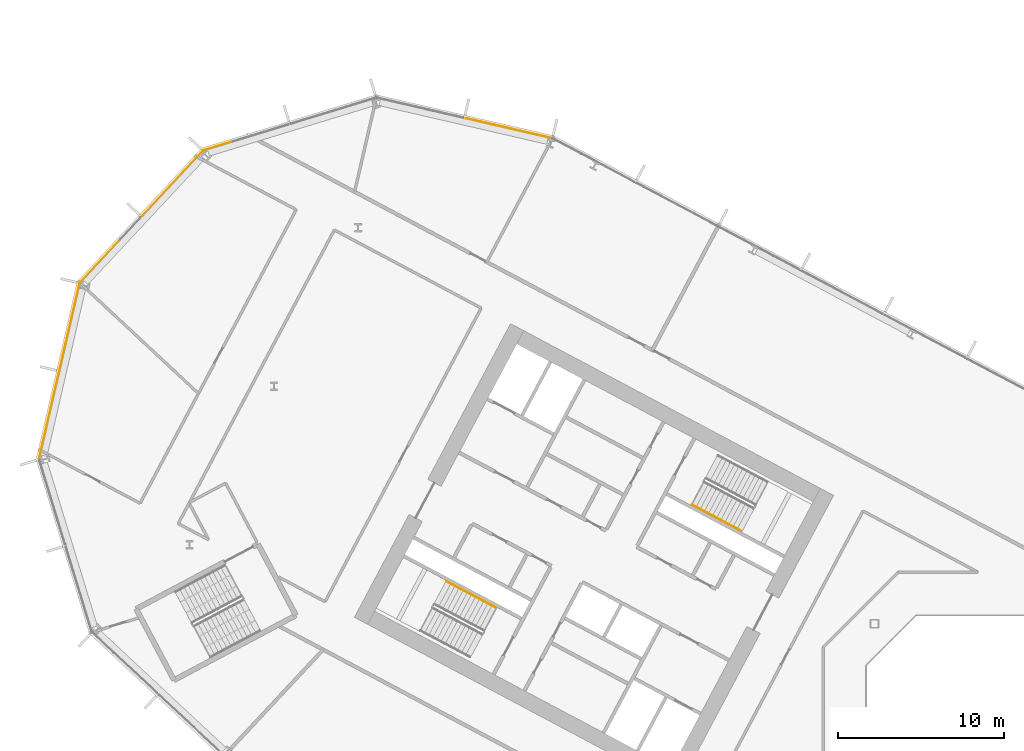
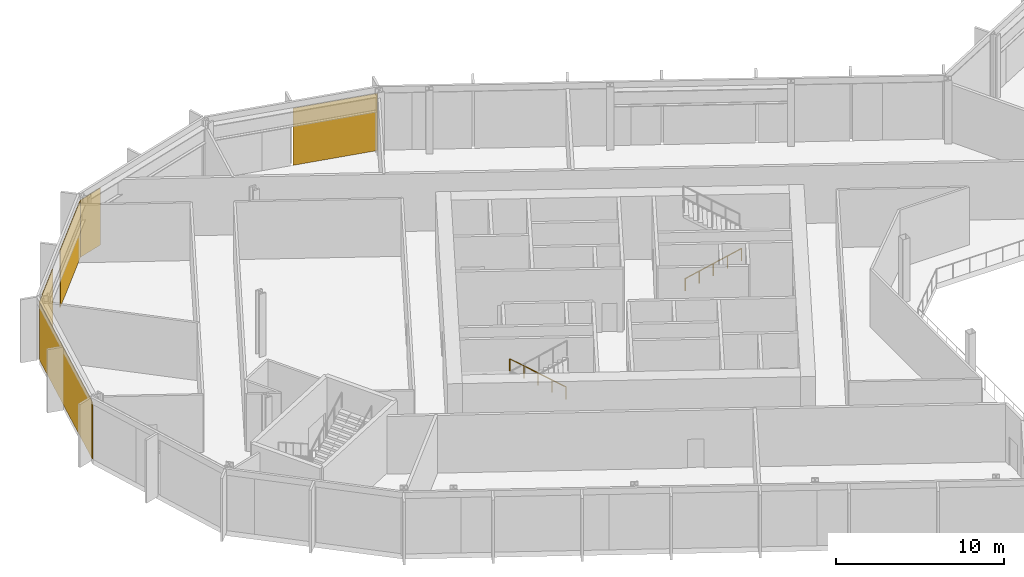
# One storey, part 24 of 31: 5 coverings, 2 railings, 4 elements without a shape of their own.
"""IFC4 building model written with IfcOpenShell, lengths in metres."""

from ifc_helpers import new_model, si_unit, direction, frame, origin, origin_2d, place, context, subcontext, project, spatial, polyline, rectangle, outline, extrude, material, layer, layer_set, type_object, element, aggregate, save


model = new_model("IFC4")

# Units and contexts
model_context = context("Model", 3, precision=1e-05, world=origin(), true_north=direction((0.0, 1.0)))
body_context = subcontext(model_context, "Body", "Model", "MODEL_VIEW")
ifc_project = project(units=[si_unit("LENGTHUNIT", "METRE"), si_unit("AREAUNIT", "SQUARE_METRE"), si_unit("VOLUMEUNIT", "CUBIC_METRE"), si_unit("PLANEANGLEUNIT", "RADIAN"), si_unit("MASSUNIT", "GRAM", prefix="KILO")], contexts=[model_context])

# Site, building, storey
site_placement = place(None, origin())
site = spatial("IfcSite", under=ifc_project, at=site_placement, CompositionType="ELEMENT")
building_placement = place(site_placement, origin())
building = spatial("IfcBuilding", under=site, at=building_placement, Name="Cormorant Relay Tower", CompositionType="ELEMENT")
storey_placement = place(building_placement, frame((0.0, 0.0, 98.39990234375)))
storey = spatial("IfcBuildingStorey", under=building, at=storey_placement, Name="L19", CompositionType="ELEMENT", Elevation=98.39990234375)

# Curtain wall, covering
ifc_material_1 = material(Name="Aluminium 6063-T6 anodised bronze", Category="aluminium")
ifc_layer_1 = layer(ifc_material_1, 0.199951171875)
ifc_layer_set_1 = layer_set([ifc_layer_1], Name="CW1 unitised bronze curtain wall with vertical fins")
curtain_wall_type = type_object("IfcCurtainWallType", Name="CW1 unitised bronze curtain wall with vertical fins", PredefinedType="NOTDEFINED", material=ifc_layer_set_1)
curtain_wall_1_placement = place(storey_placement, origin())
curtain_wall_1 = element("IfcCurtainWall", 1, at=curtain_wall_1_placement, inside=storey, type_object=curtain_wall_type, Name="CW1 curtain wall 8", PredefinedType="NOTDEFINED")
ifc_material_2 = material(Name="Pale bronze anodised aluminium insulated panel", Category="aluminium")
ifc_layer_2 = layer(ifc_material_2, 0.0400390625)
ifc_layer_set_2 = layer_set([ifc_layer_2], Name="CW1 pale bronze insulated panel 40")
covering_type = type_object("IfcCoveringType", Name="CW1 pale bronze insulated panel 40", PredefinedType="CLADDING", material=ifc_layer_set_2)
covering_1_placement = place(storey_placement, frame((-32.51708984375, 40.298828125, 0.000244140625), z_axis=(0.0, 0.0, 1.0), x_axis=(-0.974370064785, 0.224951054344, 0.0)))
covering_1 = element("IfcCovering", 2, at=covering_1_placement, type_object=covering_type, Name="CW1 panel S00", PredefinedType="CLADDING", context=body_context, shape_type="SweptSolid", body=[
    extrude(rectangle(XDim=5.28515625, YDim=0.0400390625, at=origin_2d()), origin(), (0.0, 0.0, 1.0), 4.14990234375),
])
aggregate(curtain_wall_1, [covering_1])

curtain_wall_2_placement = place(storey_placement, origin())
curtain_wall_2 = element("IfcCurtainWall", 3, at=curtain_wall_2_placement, inside=storey, type_object=curtain_wall_type, Name="CW1 curtain wall 9", PredefinedType="NOTDEFINED")
covering_2_placement = place(storey_placement, frame((-50.025146484375, 39.211669921875, 0.000244140625), z_axis=(0.0, 0.0, 1.0), x_axis=(-0.956304755963, -0.292371704723, 0.0)))
covering_2 = element("IfcCovering", 4, at=covering_2_placement, type_object=covering_type, Name="CW1 panel S02", PredefinedType="CLADDING", context=body_context, shape_type="SweptSolid", body=[
    extrude(rectangle(XDim=1.76025390625, YDim=0.0400390625, at=origin_2d()), origin(), (0.0, 0.0, 1.0), 4.14990234375),
])
aggregate(curtain_wall_2, [covering_2])

# Curtain wall, coverings
curtain_wall_3_placement = place(storey_placement, origin())
curtain_wall_3 = element("IfcCurtainWall", 5, at=curtain_wall_3_placement, inside=storey, type_object=curtain_wall_type, Name="CW1 curtain wall 10", PredefinedType="NOTDEFINED")
covering_3_placement = place(storey_placement, frame((-52.72900390625, 36.961181640625, 0.000244140625), z_axis=(0.0, 0.0, 1.0), x_axis=(-0.681998360062, -0.731353701619, 0.0)))
covering_3 = element("IfcCovering", 6, at=covering_3_placement, type_object=covering_type, Name="CW1 panel S00", PredefinedType="CLADDING", context=body_context, shape_type="SweptSolid", body=[
    extrude(rectangle(XDim=5.28515625, YDim=0.0400390625, at=origin_2d()), origin(), (0.0, 0.0, 1.0), 4.14990234375),
])
covering_4_placement = place(storey_placement, frame((-57.0751953125, 32.300537109375, 0.000244140625), z_axis=(0.0, 0.0, 1.0), x_axis=(-0.681998360062, -0.731353701619, 0.0)))
covering_4 = element("IfcCovering", 7, at=covering_4_placement, type_object=covering_type, Name="CW1 panel S02", PredefinedType="CLADDING", context=body_context, shape_type="SweptSolid", body=[
    extrude(rectangle(XDim=3.560302734375, YDim=0.0400390625, at=origin_2d()), origin(), (0.0, 0.0, 1.0), 4.14990234375),
])
aggregate(curtain_wall_3, [covering_3, covering_4])

# Curtain wall, covering
curtain_wall_4_placement = place(storey_placement, origin())
curtain_wall_4 = element("IfcCurtainWall", 8, at=curtain_wall_4_placement, inside=storey, type_object=curtain_wall_type, Name="CW1 curtain wall 11", PredefinedType="NOTDEFINED")
covering_5_placement = place(storey_placement, frame((-59.525146484375, 25.6572265625, 0.000244140625), z_axis=(0.0, 0.0, 1.0), x_axis=(-0.224951054344, -0.974370064785, 0.0)))
covering_5 = element("IfcCovering", 9, at=covering_5_placement, type_object=covering_type, Name="CW1 panel S00", PredefinedType="CLADDING", context=body_context, shape_type="SweptSolid", body=[
    extrude(rectangle(XDim=10.79541015625, YDim=0.0400390625, at=origin_2d()), origin(), (0.0, 0.0, 1.0), 4.14990234375),
])
aggregate(curtain_wall_4, [covering_5])

# Railings
ifc_material_3 = material(Name="Steel ASTM A572 Grade 50 (Fy 345 MPa)", Category="steel")
railing_type = type_object("IfcRailingType", Name="Stair handrail 900", PredefinedType="HANDRAIL", material=ifc_material_3)
railing_1_placement = place(storey_placement, frame((-21.478271484375, 17.6494140625, 0.177001953125)))
element("IfcRailing", 10, at=railing_1_placement, inside=storey, type_object=railing_type, Name="L19 A1 stair handrail 1", PredefinedType="HANDRAIL", context=body_context, shape_type="SweptSolid", body=[
    extrude(outline(polyline([(0.022216796875, 0.00927734375), (0.00927734375, 0.022216796875), (-0.00927734375, 0.022216796875), (-0.022216796875, 0.00927734375), (-0.022216796875, -0.00927734375), (-0.00927734375, -0.022216796875), (0.00927734375, -0.022216796875), (0.022216796875, -0.00927734375), (0.022216796875, 0.00927734375)])), frame((0.0, 0.0, 0.8759765625), z_axis=(0.746422470992, -0.396920836698, 0.534141689248), x_axis=(0.469509342547, 0.882927503967, 0.0)), (0.0, 0.0, 1.0), 3.974609375),
    extrude(outline(polyline([(0.019287109375, 0.008056640625), (0.008056640625, 0.019287109375), (-0.008056640625, 0.019287109375), (-0.019287109375, 0.008056640625), (-0.019287109375, -0.008056640625), (-0.008056640625, -0.019287109375), (0.008056640625, -0.019287109375), (0.019287109375, -0.008056640625), (0.019287109375, 0.008056640625)])), origin(), (0.0, 0.0, 1.0), 0.851806640625),
    extrude(outline(polyline([(0.019287109375, 0.008056640625), (0.008056640625, 0.019287109375), (-0.008056640625, 0.019287109375), (-0.019287109375, 0.008056640625), (-0.019287109375, -0.008056640625), (-0.008056640625, -0.019287109375), (0.008056640625, -0.019287109375), (0.019287109375, -0.008056640625), (0.019287109375, 0.008056640625)])), frame((0.74169921875, -0.39453125, 0.53076171875)), (0.0, 0.0, 1.0), 0.851806640625),
    extrude(outline(polyline([(0.019287109375, 0.008056640625), (0.008056640625, 0.019287109375), (-0.008056640625, 0.019287109375), (-0.019287109375, 0.008056640625), (-0.019287109375, -0.008056640625), (-0.008056640625, -0.019287109375), (0.008056640625, -0.019287109375), (0.019287109375, -0.008056640625), (0.019287109375, 0.008056640625)])), frame((1.4833984375, -0.788818359375, 1.0615234375)), (0.0, 0.0, 1.0), 0.851806640625),
    extrude(outline(polyline([(0.019287109375, 0.008056640625), (0.008056640625, 0.019287109375), (-0.008056640625, 0.019287109375), (-0.019287109375, 0.008056640625), (-0.019287109375, -0.008056640625), (-0.008056640625, -0.019287109375), (0.008056640625, -0.019287109375), (0.019287109375, -0.008056640625), (0.019287109375, 0.008056640625)])), frame((2.22509765625, -1.18310546875, 1.59228515625)), (0.0, 0.0, 1.0), 0.851806640625),
    extrude(outline(polyline([(0.019287109375, 0.008056640625), (0.008056640625, 0.019287109375), (-0.008056640625, 0.019287109375), (-0.019287109375, 0.008056640625), (-0.019287109375, -0.008056640625), (-0.008056640625, -0.019287109375), (0.008056640625, -0.019287109375), (0.019287109375, -0.008056640625), (0.019287109375, 0.008056640625)])), frame((2.966796875, -1.57763671875, 2.123046875)), (0.0, 0.0, 1.0), 0.851806640625),
])
railing_2_placement = place(storey_placement, frame((-33.264404296875, 11.4580078125, 0.177001953125)))
element("IfcRailing", 11, at=railing_2_placement, inside=storey, type_object=railing_type, Name="L19 A2 stair handrail 1", PredefinedType="HANDRAIL", context=body_context, shape_type="SweptSolid", body=[
    extrude(outline(polyline([(0.022216796875, 0.00927734375), (0.00927734375, 0.022216796875), (-0.00927734375, 0.022216796875), (-0.022216796875, 0.00927734375), (-0.022216796875, -0.00927734375), (-0.00927734375, -0.022216796875), (0.00927734375, -0.022216796875), (0.022216796875, -0.00927734375), (0.022216796875, 0.00927734375)])), frame((0.0, 0.0, 0.8759765625), z_axis=(-0.746440668329, 0.396869088057, 0.534154711306), x_axis=(-0.46945269911, -0.882957622595, 0.0)), (0.0, 0.0, 1.0), 3.974609375),
    extrude(outline(polyline([(0.019287109375, 0.008056640625), (0.008056640625, 0.019287109375), (-0.008056640625, 0.019287109375), (-0.019287109375, 0.008056640625), (-0.019287109375, -0.008056640625), (-0.008056640625, -0.019287109375), (0.008056640625, -0.019287109375), (0.019287109375, -0.008056640625), (0.019287109375, 0.008056640625)])), origin(), (0.0, 0.0, 1.0), 0.851806640625),
    extrude(outline(polyline([(0.019287109375, 0.008056640625), (0.008056640625, 0.019287109375), (-0.008056640625, 0.019287109375), (-0.019287109375, 0.008056640625), (-0.019287109375, -0.008056640625), (-0.008056640625, -0.019287109375), (0.008056640625, -0.019287109375), (0.019287109375, -0.008056640625), (0.019287109375, 0.008056640625)])), frame((-0.74169921875, 0.394287109375, 0.53076171875)), (0.0, 0.0, 1.0), 0.851806640625),
    extrude(outline(polyline([(0.019287109375, 0.008056640625), (0.008056640625, 0.019287109375), (-0.008056640625, 0.019287109375), (-0.019287109375, 0.008056640625), (-0.019287109375, -0.008056640625), (-0.008056640625, -0.019287109375), (0.008056640625, -0.019287109375), (0.019287109375, -0.008056640625), (0.019287109375, 0.008056640625)])), frame((-1.4833984375, 0.78857421875, 1.0615234375)), (0.0, 0.0, 1.0), 0.851806640625),
    extrude(outline(polyline([(0.019287109375, 0.008056640625), (0.008056640625, 0.019287109375), (-0.008056640625, 0.019287109375), (-0.019287109375, 0.008056640625), (-0.019287109375, -0.008056640625), (-0.008056640625, -0.019287109375), (0.008056640625, -0.019287109375), (0.019287109375, -0.008056640625), (0.019287109375, 0.008056640625)])), frame((-2.22509765625, 1.18310546875, 1.59228515625)), (0.0, 0.0, 1.0), 0.851806640625),
    extrude(outline(polyline([(0.019287109375, 0.008056640625), (0.008056640625, 0.019287109375), (-0.008056640625, 0.019287109375), (-0.019287109375, 0.008056640625), (-0.019287109375, -0.008056640625), (-0.008056640625, -0.019287109375), (0.008056640625, -0.019287109375), (0.019287109375, -0.008056640625), (0.019287109375, 0.008056640625)])), frame((-2.966796875, 1.577392578125, 2.123046875)), (0.0, 0.0, 1.0), 0.851806640625),
])

save(model, "model.ifc")
